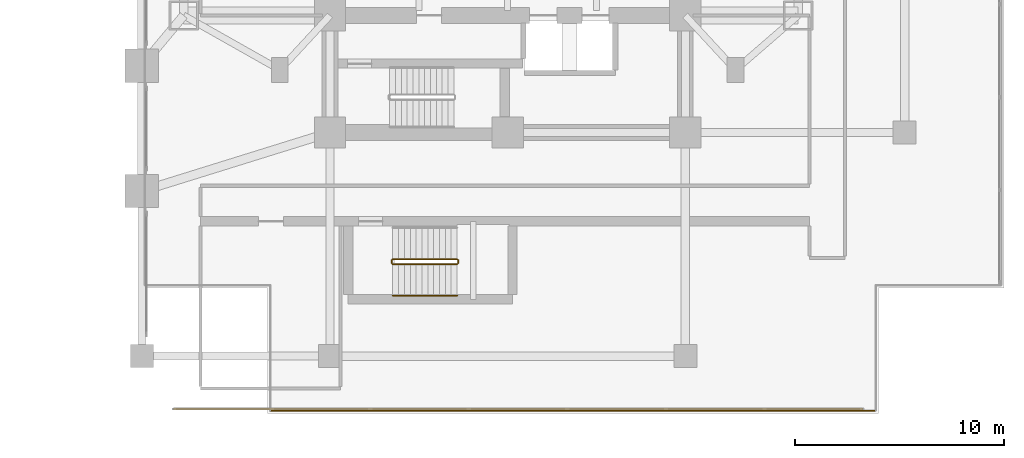
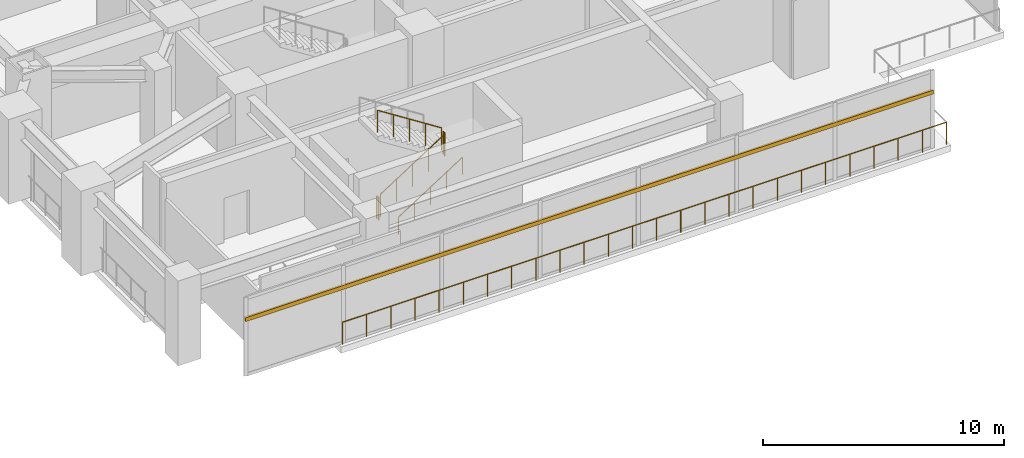
# One storey, part 27 of 31: 6 railings, 1 shading device.
"""IFC4 building model written with IfcOpenShell, lengths in metres."""

import ifcopenshell
import ifcopenshell.guid

model = None  # the IFC model being written
_history = None  # IfcOwnerHistory: only IFC2X3 demands one
_inside = {}  # id of a spatial element -> (the spatial element, [elements in it])
_under = {}  # id of a project, library or spatial element -> (it, [spatial elements below it])
_declared = {}  # id of a project -> (the project, [libraries it declares])
_typed = {}  # id of a type object -> (the type object, [elements of that type])
_made_of = {}  # id of a material, layer set ... -> (it, [elements and type objects made of it])


def new_model(schema):
    """Start an empty IFC model of exactly this schema.

    Asked for "IFC4X3", IfcOpenShell would pick the latest addendum, in which some entities
    have other attributes; the version numbers below select the first issue.
    IFC2X3 requires an IfcOwnerHistory on every rooted entity: one is made here for all.
    """
    global model, _history
    if schema == "IFC4X3":
        model = ifcopenshell.file(schema_version=(4, 3, 0, 0))
    else:
        model = ifcopenshell.file(schema=schema)
    _inside.clear()
    _under.clear()
    _declared.clear()
    _typed.clear()
    _made_of.clear()
    _history = None
    if model.schema == "IFC2X3":
        org = make("IfcOrganization", Name="unknown")
        user = make(
            "IfcPersonAndOrganization",
            ThePerson=make("IfcPerson", FamilyName="unknown"),
            TheOrganization=org,
        )
        app = make(
            "IfcApplication",
            ApplicationDeveloper=org,
            Version="unknown",
            ApplicationFullName="unknown",
            ApplicationIdentifier="unknown",
        )
        _history = make(
            "IfcOwnerHistory",
            OwningUser=user,
            OwningApplication=app,
            ChangeAction="ADDED",
            CreationDate=0,
        )
    return model


def make(cls, **values):
    """One entity of the class cls with the attributes given. An attribute that is None is left unset."""
    return model.create_entity(
        cls, **{name: value for name, value in values.items() if value is not None}
    )


def rooted(cls, **values):
    """An entity with a GlobalId (a new one), such as an element, a storey or a relation."""
    return make(cls, GlobalId=ifcopenshell.guid.new(), OwnerHistory=_history, **values)


def si_unit(unit_type, name, prefix=None):
    """IfcSIUnit, for example si_unit("LENGTHUNIT", "METRE", prefix="MILLI")."""
    return make("IfcSIUnit", UnitType=unit_type, Prefix=prefix, Name=name)


def assignment(units):
    """IfcUnitAssignment: the units of a project."""
    return None if units is None else make("IfcUnitAssignment", Units=units)


def point(xyz):
    """IfcCartesianPoint."""
    return None if xyz is None else make("IfcCartesianPoint", Coordinates=xyz)


def direction(xyz):
    """IfcDirection."""
    return None if xyz is None else make("IfcDirection", DirectionRatios=xyz)


def frame(location, z_axis=None, x_axis=None):
    """IfcAxis2Placement3D, a coordinate frame: its origin and axes. An axis left out is left unset."""
    return make(
        "IfcAxis2Placement3D",
        Location=point(location),
        Axis=direction(z_axis),
        RefDirection=direction(x_axis),
    )


def frame_2d(location, x_axis=None):
    """IfcAxis2Placement2D, a coordinate frame in the plane: its origin and x axis."""
    return make(
        "IfcAxis2Placement2D", Location=point(location), RefDirection=direction(x_axis)
    )


def origin():
    """The frame at (0, 0, 0) with its axes left unset."""
    return frame((0.0, 0.0, 0.0))


def origin_2d():
    """The frame at (0, 0) in the plane with its x axis left unset."""
    return frame_2d((0.0, 0.0))


def place(relative_to, where):
    """IfcLocalPlacement: puts the frame where relative to a parent placement (None: the world)."""
    return make(
        "IfcLocalPlacement", PlacementRelTo=relative_to, RelativePlacement=where
    )


def context(
    kind, dimensions, precision=None, world=None, true_north=None, identifier=None
):
    """IfcGeometricRepresentationContext, for example the 3D "Model" context."""
    return make(
        "IfcGeometricRepresentationContext",
        ContextIdentifier=identifier,
        ContextType=kind,
        CoordinateSpaceDimension=dimensions,
        Precision=precision,
        WorldCoordinateSystem=world,
        TrueNorth=true_north,
    )


def subcontext(parent, identifier, kind, view, scale=None):
    """IfcGeometricRepresentationSubContext, for example "Body" below "Model"."""
    return make(
        "IfcGeometricRepresentationSubContext",
        ContextIdentifier=identifier,
        ContextType=kind,
        ParentContext=parent,
        TargetScale=scale,
        TargetView=view,
    )


def project(units=None, contexts=None):
    """IfcProject with its units and contexts."""
    return rooted(
        "IfcProject",
        Name="project",
        RepresentationContexts=contexts,
        UnitsInContext=assignment(units),
    )


def spatial(cls, under=None, at=None, **own):
    """A site, building, storey or space (cls), placed at a placement, below another one or the project."""
    s = rooted(cls, ObjectPlacement=at, **own)
    if under is not None:
        _under.setdefault(under.id(), (under, []))[1].append(s)
    return s


def profile(cls, at=None, kind="AREA", **sizes):
    """A parametric profile (cls). Its sizes go by their IFC names, for example OverallWidth=200.0."""
    return make(cls, ProfileType=kind, Position=at, **sizes)


def rectangle(**sizes):
    """IfcRectangleProfileDef."""
    return profile("IfcRectangleProfileDef", **sizes)


def circle(**sizes):
    """IfcCircleProfileDef."""
    return profile("IfcCircleProfileDef", **sizes)


def extrude(swept, where, along, depth):
    """IfcExtrudedAreaSolid: the profile swept, set in the frame where, extruded along a direction by depth."""
    return make(
        "IfcExtrudedAreaSolid",
        SweptArea=swept,
        Position=where,
        ExtrudedDirection=direction(along),
        Depth=depth,
    )


def shape(context_of_items, identifier, shape_type, items):
    """IfcShapeRepresentation: the items that make up one representation, for example the "Body"."""
    return make(
        "IfcShapeRepresentation",
        ContextOfItems=context_of_items,
        RepresentationIdentifier=identifier,
        RepresentationType=shape_type,
        Items=items,
    )


def material(Name=None, Category=None):
    """IfcMaterial."""
    return make("IfcMaterial", Name=Name, Category=Category)


def material_profile(
    of_material, cross_section, Name=None, Category=None, Priority=None
):
    """IfcMaterialProfile: a cross section and its material."""
    return make(
        "IfcMaterialProfile",
        Name=Name,
        Material=of_material,
        Profile=cross_section,
        Priority=Priority,
        Category=Category,
    )


def profile_set(profiles, Name=None, composite=None):
    """IfcMaterialProfileSet."""
    return make(
        "IfcMaterialProfileSet",
        Name=Name,
        MaterialProfiles=profiles,
        CompositeProfile=composite,
    )


def made_of(thing, what):
    """Note that an element or type object is made of a material, layer set ...; save() writes the relation."""
    if what is not None:
        _made_of.setdefault(what.id(), (what, []))[1].append(thing)
    return thing


def type_object(cls, material=None, **own):
    """A type object (cls), such as IfcWallType, which elements share."""
    return made_of(rooted(cls, **own), material)


def element(
    cls,
    number,
    at=None,
    inside=None,
    cuts=None,
    type_object=None,
    material=None,
    context=None,
    identifier="Body",
    shape_type=None,
    held_by="IfcProductDefinitionShape",
    body=None,
    shapes=None,
    **own,
):
    """One element of the class cls, such as IfcWall. Its Tag is "e" and its number.

    at: its placement. inside: the storey or other place that contains it. cuts: it is an
    opening in that element (IfcRelVoidsElement). A single representation is given by context,
    identifier, shape_type and body (its items); several are given by shapes. held_by: the class
    of the entity that holds the representations. save() writes the other relations.
    """
    e = rooted(cls, Tag="e%d" % number, ObjectPlacement=at, **own)
    if body is not None:
        shapes = [shape(context, identifier, shape_type, body)]
    if shapes is not None:
        e.Representation = make(held_by, Representations=shapes)
    if inside is not None:
        _inside.setdefault(inside.id(), (inside, []))[1].append(e)
    if cuts is not None:
        rooted(
            "IfcRelVoidsElement", RelatingBuildingElement=cuts, RelatedOpeningElement=e
        )
    if type_object is not None:
        _typed.setdefault(type_object.id(), (type_object, []))[1].append(e)
    return made_of(e, material)


def aggregate(whole, parts):
    """IfcRelAggregates: a whole, such as a stair, and the parts it consists of."""
    return rooted("IfcRelAggregates", RelatingObject=whole, RelatedObjects=parts)


def save(model, path):
    """Write the relations noted so far, then the file.

    IfcRelAggregates (storeys below a building ...), IfcRelContainedInSpatialStructure (elements
    in a storey), IfcRelDefinesByType, IfcRelAssociatesMaterial and IfcRelDeclares: one each for
    every whole, place, type object, material and project.
    """
    for whole, parts in _under.values():
        aggregate(whole, parts)
    for where, things in _inside.values():
        rooted(
            "IfcRelContainedInSpatialStructure",
            RelatedElements=things,
            RelatingStructure=where,
        )
    for kind, things in _typed.values():
        rooted("IfcRelDefinesByType", RelatedObjects=things, RelatingType=kind)
    for what, things in _made_of.values():
        rooted("IfcRelAssociatesMaterial", RelatedObjects=things, RelatingMaterial=what)
    for by, libraries in _declared.values():
        rooted("IfcRelDeclares", RelatingContext=by, RelatedDefinitions=libraries)
    model.write(path)


model = new_model("IFC4")

# Units and contexts
model_context = context("Model", 3, precision=1e-05, world=origin(), true_north=direction((0.0, 1.0)))
body_context = subcontext(model_context, "Body", "Model", "MODEL_VIEW")
ifc_project = project(units=[si_unit("LENGTHUNIT", "METRE"), si_unit("AREAUNIT", "SQUARE_METRE"), si_unit("VOLUMEUNIT", "CUBIC_METRE"), si_unit("PLANEANGLEUNIT", "RADIAN"), si_unit("MASSUNIT", "GRAM", prefix="KILO")], contexts=[model_context])

# Site, building, storey
site_placement = place(None, origin())
site = spatial("IfcSite", under=ifc_project, at=site_placement, CompositionType="ELEMENT")
building_placement = place(site_placement, origin())
building = spatial("IfcBuilding", under=site, at=building_placement, Name="Mirazonda Arch Towers", CompositionType="ELEMENT")
storey_placement = place(building_placement, frame((0.0, 0.0, 5.199951171875)))
storey = spatial("IfcBuildingStorey", under=building, at=storey_placement, Name="L01", CompositionType="ELEMENT", Elevation=5.199951171875)

# Shading device
ifc_material_1 = material(Name="Kiln-Fired Architectural Terracotta", Category="masonry")
ifc_material_profile = material_profile(ifc_material_1, rectangle(XDim=0.10009765625, YDim=0.199951171875, at=origin_2d()), Name="TERRA-BAG-100x200")
ifc_profile_set = profile_set([ifc_material_profile], Name="Kiln-Fired Architectural Terracotta")
shading_device_type = type_object("IfcShadingDeviceType", Name="BAGUETTE-2", PredefinedType="USERDEFINED", material=ifc_profile_set)
shading_device_placement = place(storey_placement, frame((93.5, 1.969970703125, 2.851318359375), z_axis=(-1.0, 0.0, 0.0), x_axis=(0.0, -1.0, 0.0)))
element("IfcShadingDevice", 1, at=shading_device_placement, inside=storey, type_object=shading_device_type, Name="L01 Glazed Terracotta Sun-Screen Baguette CW-L01-ES", ObjectType="BAGUETTE", PredefinedType="USERDEFINED", context=body_context, shape_type="SweptSolid", body=[
    extrude(rectangle(XDim=0.10009765625, YDim=0.199951171875, at=origin_2d()), origin(), (0.0, 0.0, 1.0), 33.0),
])

# Railings
ifc_material_2 = material(Name="Architectural Brushed Steel S355", Category="steel")
railing_type_1 = type_object("IfcRailingType", Name="GUARD-EXT-1150", PredefinedType="GUARDRAIL", material=ifc_material_2)
railing_1_placement = place(storey_placement, frame((65.139892578125, 1.889892578125, 0.0)))
element("IfcRailing", 2, at=railing_1_placement, inside=storey, type_object=railing_type_1, Name="L01 L01 East Podium Perimeter Guard 01", PredefinedType="GUARDRAIL", context=body_context, shape_type="SweptSolid", body=[
    extrude(circle(Radius=0.02392578125, at=origin_2d()), frame((0.0, 0.0, 1.1259765625), z_axis=(1.0, 0.0, 0.0), x_axis=(0.0, 1.0, 0.0)), (0.0, 0.0, 1.0), 28.97021484375),
    extrude(circle(Radius=0.02099609375, at=origin_2d()), origin(), (0.0, 0.0, 1.0), 1.101806640625),
    extrude(circle(Radius=0.02099609375, at=origin_2d()), frame((1.15869140625, 0.0, 0.0)), (0.0, 0.0, 1.0), 1.101806640625),
    extrude(circle(Radius=0.02099609375, at=origin_2d()), frame((2.317626953125, 0.0, 0.0)), (0.0, 0.0, 1.0), 1.101806640625),
    extrude(circle(Radius=0.02099609375, at=origin_2d()), frame((3.476318359375, 0.0, 0.0)), (0.0, 0.0, 1.0), 1.101806640625),
    extrude(circle(Radius=0.02099609375, at=origin_2d()), frame((4.63525390625, 0.0, 0.0)), (0.0, 0.0, 1.0), 1.101806640625),
    extrude(circle(Radius=0.02099609375, at=origin_2d()), frame((5.7939453125, 0.0, 0.0)), (0.0, 0.0, 1.0), 1.101806640625),
    extrude(circle(Radius=0.02099609375, at=origin_2d()), frame((6.952880859375, 0.0, 0.0)), (0.0, 0.0, 1.0), 1.101806640625),
    extrude(circle(Radius=0.02099609375, at=origin_2d()), frame((8.111572265625, 0.0, 0.0)), (0.0, 0.0, 1.0), 1.101806640625),
    extrude(circle(Radius=0.02099609375, at=origin_2d()), frame((9.2705078125, 0.0, 0.0)), (0.0, 0.0, 1.0), 1.101806640625),
    extrude(circle(Radius=0.02099609375, at=origin_2d()), frame((10.42919921875, 0.0, 0.0)), (0.0, 0.0, 1.0), 1.101806640625),
    extrude(circle(Radius=0.02099609375, at=origin_2d()), frame((11.588134765625, 0.0, 0.0)), (0.0, 0.0, 1.0), 1.101806640625),
    extrude(circle(Radius=0.02099609375, at=origin_2d()), frame((12.746826171875, 0.0, 0.0)), (0.0, 0.0, 1.0), 1.101806640625),
    extrude(circle(Radius=0.02099609375, at=origin_2d()), frame((13.90576171875, 0.0, 0.0)), (0.0, 0.0, 1.0), 1.101806640625),
    extrude(circle(Radius=0.02099609375, at=origin_2d()), frame((15.064453125, 0.0, 0.0)), (0.0, 0.0, 1.0), 1.101806640625),
    extrude(circle(Radius=0.02099609375, at=origin_2d()), frame((16.223388671875, 0.0, 0.0)), (0.0, 0.0, 1.0), 1.101806640625),
    extrude(circle(Radius=0.02099609375, at=origin_2d()), frame((17.382080078125, 0.0, 0.0)), (0.0, 0.0, 1.0), 1.101806640625),
    extrude(circle(Radius=0.02099609375, at=origin_2d()), frame((18.541015625, 0.0, 0.0)), (0.0, 0.0, 1.0), 1.101806640625),
    extrude(circle(Radius=0.02099609375, at=origin_2d()), frame((19.69970703125, 0.0, 0.0)), (0.0, 0.0, 1.0), 1.101806640625),
    extrude(circle(Radius=0.02099609375, at=origin_2d()), frame((20.858642578125, 0.0, 0.0)), (0.0, 0.0, 1.0), 1.101806640625),
    extrude(circle(Radius=0.02099609375, at=origin_2d()), frame((22.017333984375, 0.0, 0.0)), (0.0, 0.0, 1.0), 1.101806640625),
    extrude(circle(Radius=0.02099609375, at=origin_2d()), frame((23.17626953125, 0.0, 0.0)), (0.0, 0.0, 1.0), 1.101806640625),
    extrude(circle(Radius=0.02099609375, at=origin_2d()), frame((24.3349609375, 0.0, 0.0)), (0.0, 0.0, 1.0), 1.101806640625),
    extrude(circle(Radius=0.02099609375, at=origin_2d()), frame((25.493896484375, 0.0, 0.0)), (0.0, 0.0, 1.0), 1.101806640625),
    extrude(circle(Radius=0.02099609375, at=origin_2d()), frame((26.652587890625, 0.0, 0.0)), (0.0, 0.0, 1.0), 1.101806640625),
    extrude(circle(Radius=0.02099609375, at=origin_2d()), frame((27.8115234375, 0.0, 0.0)), (0.0, 0.0, 1.0), 1.101806640625),
    extrude(circle(Radius=0.02099609375, at=origin_2d()), frame((28.97021484375, 0.0, 0.0)), (0.0, 0.0, 1.0), 1.101806640625),
])
railing_type_2 = type_object("IfcRailingType", Name="GUARD-STAIR-1120", PredefinedType="GUARDRAIL", material=ifc_material_2)
railing_2_placement = place(storey_placement, frame((71.0, 8.89990234375, 0.17919921875)))
element("IfcRailing", 3, at=railing_2_placement, inside=storey, type_object=railing_type_2, Name="L01 ST-POD2 stair guard 1", PredefinedType="GUARDRAIL", context=body_context, shape_type="SweptSolid", body=[
    extrude(circle(Radius=0.02392578125, at=origin_2d()), frame((0.0, 0.0, 1.1259765625), z_axis=(0.842308987159, 0.0, 0.53899496301), x_axis=(0.0, 1.0, 0.0)), (0.0, 0.0, 1.0), 3.65673828125),
    extrude(circle(Radius=0.02099609375, at=origin_2d()), origin(), (0.0, 0.0, 1.0), 1.101806640625),
    extrude(circle(Radius=0.02099609375, at=origin_2d()), frame((0.77001953125, 0.0, 0.49267578125)), (0.0, 0.0, 1.0), 1.101806640625),
    extrude(circle(Radius=0.02099609375, at=origin_2d()), frame((1.5400390625, 0.0, 0.9853515625)), (0.0, 0.0, 1.0), 1.101806640625),
    extrude(circle(Radius=0.02099609375, at=origin_2d()), frame((2.31005859375, 0.0, 1.478271484375)), (0.0, 0.0, 1.0), 1.101806640625),
    extrude(circle(Radius=0.02099609375, at=origin_2d()), frame((3.080078125, 0.0, 1.970947265625)), (0.0, 0.0, 1.0), 1.101806640625),
])
railing_3_placement = place(storey_placement, frame((74.1298828125, 8.949951171875, 2.150146484375)))
element("IfcRailing", 4, at=railing_3_placement, inside=storey, type_object=railing_type_2, Name="L01 ST-POD2 stair guard 2", PredefinedType="GUARDRAIL", context=body_context, shape_type="SweptSolid", body=[
    extrude(circle(Radius=0.02392578125, at=origin_2d()), frame((0.0, 0.0, 1.1259765625), z_axis=(0.0, 1.0, 0.0), x_axis=(-1.0, 0.0, 0.0)), (0.0, 0.0, 1.0), 0.14013671875),
    extrude(circle(Radius=0.02099609375, at=origin_2d()), origin(), (0.0, 0.0, 1.0), 1.101806640625),
    extrude(circle(Radius=0.02099609375, at=origin_2d()), frame((0.0, 0.14013671875, 0.0)), (0.0, 0.0, 1.0), 1.101806640625),
])
railing_4_placement = place(storey_placement, frame((74.080078125, 9.139892578125, 2.3291015625)))
element("IfcRailing", 5, at=railing_4_placement, inside=storey, type_object=railing_type_2, Name="L01 ST-POD2 stair guard 3", PredefinedType="GUARDRAIL", context=body_context, shape_type="SweptSolid", body=[
    extrude(circle(Radius=0.02392578125, at=origin_2d()), frame((0.0, 0.0, 1.1259765625), z_axis=(-0.842308987159, 0.0, 0.53899496301), x_axis=(0.0, -1.0, 0.0)), (0.0, 0.0, 1.0), 3.65673828125),
    extrude(circle(Radius=0.02099609375, at=origin_2d()), origin(), (0.0, 0.0, 1.0), 1.101806640625),
    extrude(circle(Radius=0.02099609375, at=origin_2d()), frame((-0.77001953125, 0.0, 0.49267578125)), (0.0, 0.0, 1.0), 1.101806640625),
    extrude(circle(Radius=0.02099609375, at=origin_2d()), frame((-1.5400390625, 0.0, 0.9853515625)), (0.0, 0.0, 1.0), 1.101806640625),
    extrude(circle(Radius=0.02099609375, at=origin_2d()), frame((-2.31005859375, 0.0, 1.478271484375)), (0.0, 0.0, 1.0), 1.101806640625),
    extrude(circle(Radius=0.02099609375, at=origin_2d()), frame((-3.080078125, 0.0, 1.970947265625)), (0.0, 0.0, 1.0), 1.101806640625),
])
railing_5_placement = place(storey_placement, frame((70.949951171875, 8.949951171875, 0.0)))
element("IfcRailing", 6, at=railing_5_placement, inside=storey, type_object=railing_type_2, Name="L01 ST-POD2 stair guard 4", PredefinedType="GUARDRAIL", context=body_context, shape_type="SweptSolid", body=[
    extrude(circle(Radius=0.02392578125, at=origin_2d()), frame((0.0, 0.0, 1.1259765625), z_axis=(0.0, 1.0, 0.0), x_axis=(-1.0, 0.0, 0.0)), (0.0, 0.0, 1.0), 0.14013671875),
    extrude(circle(Radius=0.02099609375, at=origin_2d()), origin(), (0.0, 0.0, 1.0), 1.101806640625),
    extrude(circle(Radius=0.02099609375, at=origin_2d()), frame((0.0, 0.14013671875, 0.0)), (0.0, 0.0, 1.0), 1.101806640625),
])
railing_type_3 = type_object("IfcRailingType", Name="HANDRAIL-915", PredefinedType="HANDRAIL", material=ifc_material_2)
railing_6_placement = place(storey_placement, frame((71.0, 7.39990234375, 0.17919921875)))
element("IfcRailing", 7, at=railing_6_placement, inside=storey, type_object=railing_type_3, Name="L01 ST-POD2 stair handrail 1", PredefinedType="HANDRAIL", context=body_context, shape_type="SweptSolid", body=[
    extrude(circle(Radius=0.02392578125, at=origin_2d()), frame((0.0, 0.0, 0.8759765625), z_axis=(0.842308987159, 0.0, 0.53899496301), x_axis=(0.0, 1.0, 0.0)), (0.0, 0.0, 1.0), 3.65673828125),
    extrude(circle(Radius=0.02099609375, at=origin_2d()), origin(), (0.0, 0.0, 1.0), 0.851806640625),
    extrude(circle(Radius=0.02099609375, at=origin_2d()), frame((0.77001953125, 0.0, 0.49267578125)), (0.0, 0.0, 1.0), 0.851806640625),
    extrude(circle(Radius=0.02099609375, at=origin_2d()), frame((1.5400390625, 0.0, 0.9853515625)), (0.0, 0.0, 1.0), 0.851806640625),
    extrude(circle(Radius=0.02099609375, at=origin_2d()), frame((2.31005859375, 0.0, 1.478271484375)), (0.0, 0.0, 1.0), 0.851806640625),
    extrude(circle(Radius=0.02099609375, at=origin_2d()), frame((3.080078125, 0.0, 1.970947265625)), (0.0, 0.0, 1.0), 0.851806640625),
])

save(model, "model.ifc")
